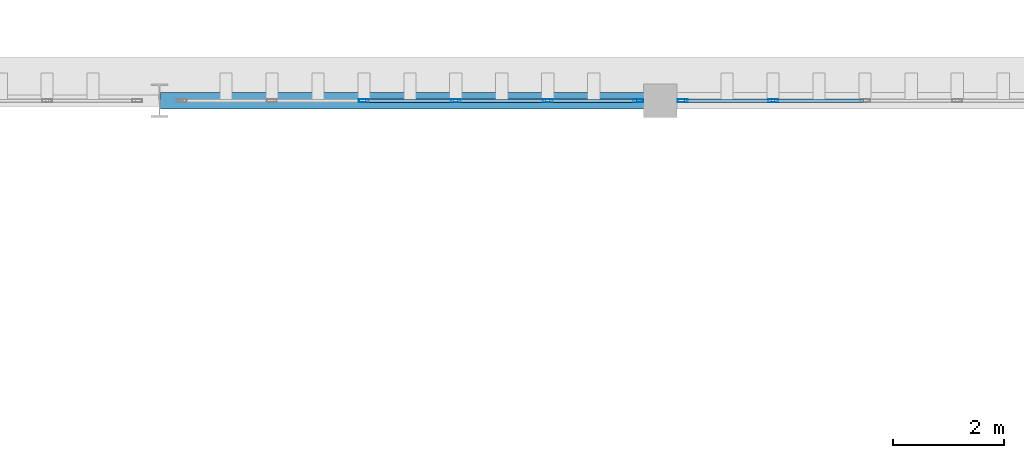
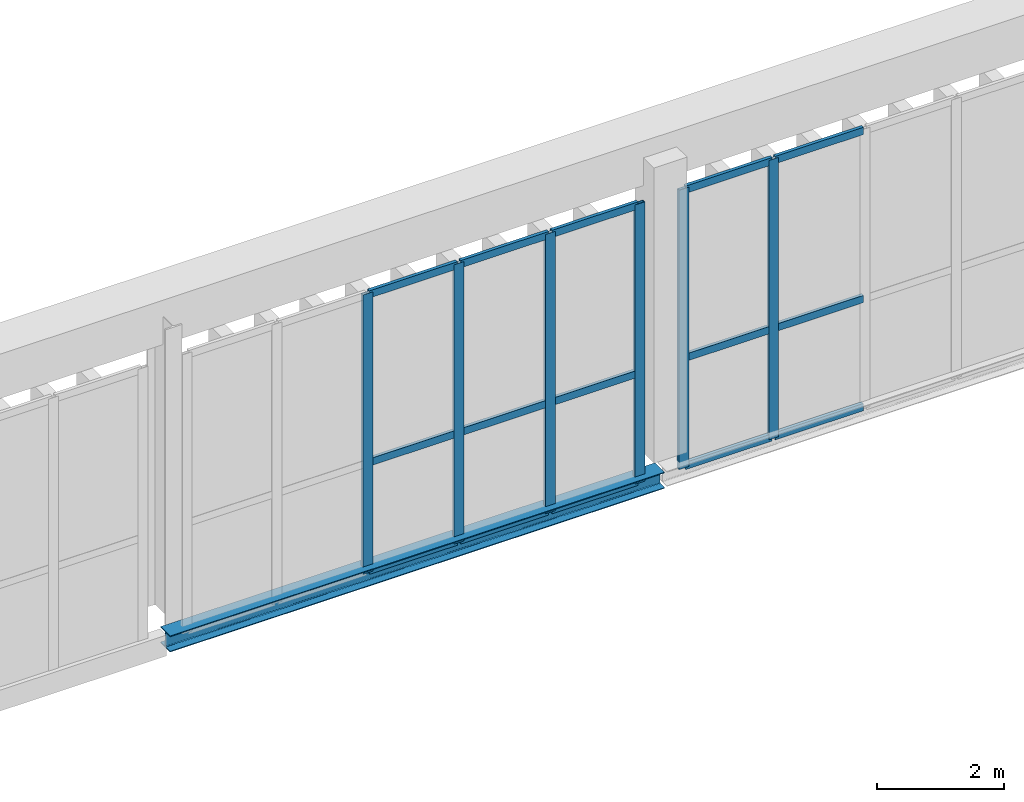
# One storey, part 177 of 237: 21 members, 1 beam, 2 elements without a shape of their own.
"""IFC4 building model written with IfcOpenShell, lengths in metres."""

from ifc_helpers import new_model, si_unit, direction, frame, origin, origin_2d, place, context, subcontext, project, spatial, hollow_rectangle, i_section, extrude, material, layer, layer_set, material_profile, profile_set, type_object, element, aggregate, save


model = new_model("IFC4")

# Units and contexts
model_context = context("Model", 3, precision=1e-05, world=origin(), true_north=direction((0.0, 1.0)))
body_context = subcontext(model_context, "Body", "Model", "MODEL_VIEW")
ifc_project = project(units=[si_unit("LENGTHUNIT", "METRE"), si_unit("AREAUNIT", "SQUARE_METRE"), si_unit("VOLUMEUNIT", "CUBIC_METRE"), si_unit("PLANEANGLEUNIT", "RADIAN"), si_unit("MASSUNIT", "GRAM", prefix="KILO")], contexts=[model_context])

# Site, building, storey
site_placement = place(None, origin())
site = spatial("IfcSite", under=ifc_project, at=site_placement, CompositionType="ELEMENT")
building_placement = place(site_placement, origin())
building = spatial("IfcBuilding", under=site, at=building_placement, Name="Barlavento Convention Centre", CompositionType="ELEMENT")
storey_placement = place(building_placement, frame((0.0, 0.0, 12.0)))
storey = spatial("IfcBuildingStorey", under=building, at=storey_placement, Name="L02", CompositionType="ELEMENT", Elevation=12.0)

# Curtain wall, members
ifc_material_1 = material(Name="Powder-coated aluminium and Low-E glass", Category="aluminium")
ifc_layer = layer(ifc_material_1, 0.18505859375)
ifc_layer_set = layer_set([ifc_layer], Name="ARC-CW-EXH-L02")
curtain_wall_type = type_object("IfcCurtainWallType", Name="ARC-CW-EXH-L02", PredefinedType="NOTDEFINED", material=ifc_layer_set)
curtain_wall_1_placement = place(storey_placement, origin())
curtain_wall_1 = element("IfcCurtainWall", 1, at=curtain_wall_1_placement, inside=storey, type_object=curtain_wall_type, Name="L02 unitised curtain wall CW05", PredefinedType="NOTDEFINED")
ifc_material_2 = material(Name="Powder-coated aluminium", Category="aluminium")
ifc_material_profile_1 = material_profile(ifc_material_2, hollow_rectangle(XDim=0.06005859375, YDim=0.179931640625, WallThickness=0.0048828125, at=origin_2d()), Name="AL-MULL 60x180x5")
ifc_profile_set_1 = profile_set([ifc_material_profile_1], Name="Powder-coated aluminium")
member_type_1 = type_object("IfcMemberType", Name="ARC-CWM-60X180", PredefinedType="MULLION", material=ifc_profile_set_1)
member_1_placement = place(storey_placement, frame((102.674072265625, 135.0, -0.5), z_axis=(0.0, 0.0, 1.0), x_axis=(0.0, 1.0, 0.0)))
member_1 = element("IfcMember", 2, at=member_1_placement, type_object=member_type_1, Name="CW05 mullion 3", PredefinedType="MULLION", context=body_context, shape_type="SweptSolid", body=[
    extrude(hollow_rectangle(XDim=0.06005859375, YDim=0.179931640625, WallThickness=0.0048828125, at=origin_2d()), origin(), (0.0, 0.0, 1.0), 5.35009765625),
])
member_2_placement = place(storey_placement, frame((104.325927734375, 135.0, -0.5), z_axis=(0.0, 0.0, 1.0), x_axis=(0.0, 1.0, 0.0)))
member_2 = element("IfcMember", 3, at=member_2_placement, type_object=member_type_1, Name="CW05 mullion 4", PredefinedType="MULLION", context=body_context, shape_type="SweptSolid", body=[
    extrude(hollow_rectangle(XDim=0.06005859375, YDim=0.179931640625, WallThickness=0.0048828125, at=origin_2d()), origin(), (0.0, 0.0, 1.0), 5.35009765625),
])
member_3_placement = place(storey_placement, frame((105.97802734375, 135.0, -0.5), z_axis=(0.0, 0.0, 1.0), x_axis=(0.0, 1.0, 0.0)))
member_3 = element("IfcMember", 4, at=member_3_placement, type_object=member_type_1, Name="CW05 mullion 5", PredefinedType="MULLION", context=body_context, shape_type="SweptSolid", body=[
    extrude(hollow_rectangle(XDim=0.06005859375, YDim=0.179931640625, WallThickness=0.0048828125, at=origin_2d()), origin(), (0.0, 0.0, 1.0), 5.35009765625),
])
member_4_placement = place(storey_placement, frame((107.60009765625, 135.0, -0.5), z_axis=(0.0, 0.0, 1.0), x_axis=(0.0, 1.0, 0.0)))
member_4 = element("IfcMember", 5, at=member_4_placement, type_object=member_type_1, Name="CW05 mullion 6", PredefinedType="MULLION", context=body_context, shape_type="SweptSolid", body=[
    extrude(hollow_rectangle(XDim=0.06005859375, YDim=0.179931640625, WallThickness=0.0048828125, at=origin_2d()), origin(), (0.0, 0.0, 1.0), 5.35009765625),
])

curtain_wall_2_placement = place(storey_placement, origin())
curtain_wall_2 = element("IfcCurtainWall", 6, at=curtain_wall_2_placement, inside=storey, type_object=curtain_wall_type, Name="L02 unitised curtain wall CW05", PredefinedType="NOTDEFINED")
member_5_placement = place(storey_placement, frame((108.39990234375, 135.0, -0.5), z_axis=(0.0, 0.0, 1.0), x_axis=(0.0, 1.0, 0.0)))
member_5 = element("IfcMember", 7, at=member_5_placement, type_object=member_type_1, Name="CW05 mullion 1", PredefinedType="MULLION", context=body_context, shape_type="SweptSolid", body=[
    extrude(hollow_rectangle(XDim=0.06005859375, YDim=0.179931640625, WallThickness=0.0048828125, at=origin_2d()), origin(), (0.0, 0.0, 1.0), 5.35009765625),
])
member_6_placement = place(storey_placement, frame((110.02490234375, 135.0, -0.5), z_axis=(0.0, 0.0, 1.0), x_axis=(0.0, 1.0, 0.0)))
member_6 = element("IfcMember", 8, at=member_6_placement, type_object=member_type_1, Name="CW05 mullion 2", PredefinedType="MULLION", context=body_context, shape_type="SweptSolid", body=[
    extrude(hollow_rectangle(XDim=0.06005859375, YDim=0.179931640625, WallThickness=0.0048828125, at=origin_2d()), origin(), (0.0, 0.0, 1.0), 5.35009765625),
])

# Member
ifc_material_profile_2 = material_profile(ifc_material_2, hollow_rectangle(XDim=0.06005859375, YDim=0.139892578125, WallThickness=0.00390625, at=origin_2d()), Name="AL-TRAN 60x140x4")
ifc_profile_set_2 = profile_set([ifc_material_profile_2], Name="Powder-coated aluminium")
member_type_2 = type_object("IfcMemberType", Name="ARC-CWT-60X140", PredefinedType="USERDEFINED", material=ifc_profile_set_2)
member_7_placement = place(storey_placement, frame((102.7041015625, 135.0, -0.469970703125), z_axis=(1.0, 0.0, 0.0), x_axis=(0.0, 1.0, 0.0)))
member_7 = element("IfcMember", 9, at=member_7_placement, type_object=member_type_2, Name="CW05 transom 3.1", ObjectType="TRANSOM", PredefinedType="USERDEFINED", context=body_context, shape_type="SweptSolid", body=[
    extrude(hollow_rectangle(XDim=0.06005859375, YDim=0.139892578125, WallThickness=0.00390625, at=origin_2d()), origin(), (0.0, 0.0, 1.0), 1.591796875),
])

member_8_placement = place(storey_placement, frame((102.7041015625, 135.0, 1.60009765625), z_axis=(1.0, 0.0, 0.0), x_axis=(0.0, 1.0, 0.0)))
member_8 = element("IfcMember", 10, at=member_8_placement, type_object=member_type_2, Name="CW05 transom 3.2", ObjectType="TRANSOM", PredefinedType="USERDEFINED", context=body_context, shape_type="SweptSolid", body=[
    extrude(hollow_rectangle(XDim=0.06005859375, YDim=0.139892578125, WallThickness=0.00390625, at=origin_2d()), origin(), (0.0, 0.0, 1.0), 1.591796875),
])

member_9_placement = place(storey_placement, frame((102.7041015625, 135.0, 4.820068359375), z_axis=(1.0, 0.0, 0.0), x_axis=(0.0, 1.0, 0.0)))
member_9 = element("IfcMember", 11, at=member_9_placement, type_object=member_type_2, Name="CW05 transom 3.3", ObjectType="TRANSOM", PredefinedType="USERDEFINED", context=body_context, shape_type="SweptSolid", body=[
    extrude(hollow_rectangle(XDim=0.06005859375, YDim=0.139892578125, WallThickness=0.00390625, at=origin_2d()), origin(), (0.0, 0.0, 1.0), 1.591796875),
])

member_10_placement = place(storey_placement, frame((104.35595703125, 135.0, -0.469970703125), z_axis=(1.0, 0.0, 0.0), x_axis=(0.0, 1.0, 0.0)))
member_10 = element("IfcMember", 12, at=member_10_placement, type_object=member_type_2, Name="CW05 transom 4.1", ObjectType="TRANSOM", PredefinedType="USERDEFINED", context=body_context, shape_type="SweptSolid", body=[
    extrude(hollow_rectangle(XDim=0.06005859375, YDim=0.139892578125, WallThickness=0.00390625, at=origin_2d()), origin(), (0.0, 0.0, 1.0), 1.592041015625),
])

member_11_placement = place(storey_placement, frame((104.35595703125, 135.0, 1.60009765625), z_axis=(1.0, 0.0, 0.0), x_axis=(0.0, 1.0, 0.0)))
member_11 = element("IfcMember", 13, at=member_11_placement, type_object=member_type_2, Name="CW05 transom 4.2", ObjectType="TRANSOM", PredefinedType="USERDEFINED", context=body_context, shape_type="SweptSolid", body=[
    extrude(hollow_rectangle(XDim=0.06005859375, YDim=0.139892578125, WallThickness=0.00390625, at=origin_2d()), origin(), (0.0, 0.0, 1.0), 1.592041015625),
])

member_12_placement = place(storey_placement, frame((104.35595703125, 135.0, 4.820068359375), z_axis=(1.0, 0.0, 0.0), x_axis=(0.0, 1.0, 0.0)))
member_12 = element("IfcMember", 14, at=member_12_placement, type_object=member_type_2, Name="CW05 transom 4.3", ObjectType="TRANSOM", PredefinedType="USERDEFINED", context=body_context, shape_type="SweptSolid", body=[
    extrude(hollow_rectangle(XDim=0.06005859375, YDim=0.139892578125, WallThickness=0.00390625, at=origin_2d()), origin(), (0.0, 0.0, 1.0), 1.592041015625),
])

member_13_placement = place(storey_placement, frame((106.008056640625, 135.0, -0.469970703125), z_axis=(1.0, 0.0, 0.0), x_axis=(0.0, 1.0, 0.0)))
member_13 = element("IfcMember", 15, at=member_13_placement, type_object=member_type_2, Name="CW05 transom 5.1", ObjectType="TRANSOM", PredefinedType="USERDEFINED", context=body_context, shape_type="SweptSolid", body=[
    extrude(hollow_rectangle(XDim=0.06005859375, YDim=0.139892578125, WallThickness=0.00390625, at=origin_2d()), origin(), (0.0, 0.0, 1.0), 1.56201171875),
])

member_14_placement = place(storey_placement, frame((106.008056640625, 135.0, 1.60009765625), z_axis=(1.0, 0.0, 0.0), x_axis=(0.0, 1.0, 0.0)))
member_14 = element("IfcMember", 16, at=member_14_placement, type_object=member_type_2, Name="CW05 transom 5.2", ObjectType="TRANSOM", PredefinedType="USERDEFINED", context=body_context, shape_type="SweptSolid", body=[
    extrude(hollow_rectangle(XDim=0.06005859375, YDim=0.139892578125, WallThickness=0.00390625, at=origin_2d()), origin(), (0.0, 0.0, 1.0), 1.56201171875),
])

member_15_placement = place(storey_placement, frame((106.008056640625, 135.0, 4.820068359375), z_axis=(1.0, 0.0, 0.0), x_axis=(0.0, 1.0, 0.0)))
member_15 = element("IfcMember", 17, at=member_15_placement, type_object=member_type_2, Name="CW05 transom 5.3", ObjectType="TRANSOM", PredefinedType="USERDEFINED", context=body_context, shape_type="SweptSolid", body=[
    extrude(hollow_rectangle(XDim=0.06005859375, YDim=0.139892578125, WallThickness=0.00390625, at=origin_2d()), origin(), (0.0, 0.0, 1.0), 1.56201171875),
])

aggregate(curtain_wall_1, [member_1, member_2, member_3, member_4, member_7, member_8, member_9, member_10, member_11, member_12, member_13, member_14, member_15])

member_16_placement = place(storey_placement, frame((108.429931640625, 135.0, -0.469970703125), z_axis=(1.0, 0.0, 0.0), x_axis=(0.0, 1.0, 0.0)))
member_16 = element("IfcMember", 18, at=member_16_placement, type_object=member_type_2, Name="CW05 transom 1.1", ObjectType="TRANSOM", PredefinedType="USERDEFINED", context=body_context, shape_type="SweptSolid", body=[
    extrude(hollow_rectangle(XDim=0.06005859375, YDim=0.139892578125, WallThickness=0.00390625, at=origin_2d()), origin(), (0.0, 0.0, 1.0), 1.56494140625),
])

member_17_placement = place(storey_placement, frame((108.429931640625, 135.0, 1.60009765625), z_axis=(1.0, 0.0, 0.0), x_axis=(0.0, 1.0, 0.0)))
member_17 = element("IfcMember", 19, at=member_17_placement, type_object=member_type_2, Name="CW05 transom 1.2", ObjectType="TRANSOM", PredefinedType="USERDEFINED", context=body_context, shape_type="SweptSolid", body=[
    extrude(hollow_rectangle(XDim=0.06005859375, YDim=0.139892578125, WallThickness=0.00390625, at=origin_2d()), origin(), (0.0, 0.0, 1.0), 1.56494140625),
])

member_18_placement = place(storey_placement, frame((108.429931640625, 135.0, 4.820068359375), z_axis=(1.0, 0.0, 0.0), x_axis=(0.0, 1.0, 0.0)))
member_18 = element("IfcMember", 20, at=member_18_placement, type_object=member_type_2, Name="CW05 transom 1.3", ObjectType="TRANSOM", PredefinedType="USERDEFINED", context=body_context, shape_type="SweptSolid", body=[
    extrude(hollow_rectangle(XDim=0.06005859375, YDim=0.139892578125, WallThickness=0.00390625, at=origin_2d()), origin(), (0.0, 0.0, 1.0), 1.56494140625),
])

member_19_placement = place(storey_placement, frame((110.0546875, 135.0, -0.469970703125), z_axis=(1.0, 0.0, 0.0), x_axis=(0.0, 1.0, 0.0)))
member_19 = element("IfcMember", 21, at=member_19_placement, type_object=member_type_2, Name="CW05 transom 2.1", ObjectType="TRANSOM", PredefinedType="USERDEFINED", context=body_context, shape_type="SweptSolid", body=[
    extrude(hollow_rectangle(XDim=0.06005859375, YDim=0.139892578125, WallThickness=0.00390625, at=origin_2d()), origin(), (0.0, 0.0, 1.0), 1.594970703125),
])

member_20_placement = place(storey_placement, frame((110.0546875, 135.0, 1.60009765625), z_axis=(1.0, 0.0, 0.0), x_axis=(0.0, 1.0, 0.0)))
member_20 = element("IfcMember", 22, at=member_20_placement, type_object=member_type_2, Name="CW05 transom 2.2", ObjectType="TRANSOM", PredefinedType="USERDEFINED", context=body_context, shape_type="SweptSolid", body=[
    extrude(hollow_rectangle(XDim=0.06005859375, YDim=0.139892578125, WallThickness=0.00390625, at=origin_2d()), origin(), (0.0, 0.0, 1.0), 1.594970703125),
])

member_21_placement = place(storey_placement, frame((110.0546875, 135.0, 4.820068359375), z_axis=(1.0, 0.0, 0.0), x_axis=(0.0, 1.0, 0.0)))
member_21 = element("IfcMember", 23, at=member_21_placement, type_object=member_type_2, Name="CW05 transom 2.3", ObjectType="TRANSOM", PredefinedType="USERDEFINED", context=body_context, shape_type="SweptSolid", body=[
    extrude(hollow_rectangle(XDim=0.06005859375, YDim=0.139892578125, WallThickness=0.00390625, at=origin_2d()), origin(), (0.0, 0.0, 1.0), 1.594970703125),
])

aggregate(curtain_wall_2, [member_5, member_6, member_16, member_17, member_18, member_19, member_20, member_21])

# Beam
ifc_material_3 = material(Name="Steel S355", Category="steel")
ifc_material_profile_3 = material_profile(ifc_material_3, i_section(OverallWidth=0.300048828125, OverallDepth=0.31005859375, WebThickness=0.009033203125, FlangeThickness=0.015380859375, FilletRadius=0.027099609375, at=origin_2d()), Name="HEA 320")
ifc_profile_set_3 = profile_set([ifc_material_profile_3], Name="Steel S355")
beam_type = type_object("IfcBeamType", Name="STR-BM-SPN-HEA320", PredefinedType="SPANDREL", material=ifc_profile_set_3)
beam_placement = place(storey_placement, frame((99.02001953125, 135.0, -0.514892578125), z_axis=(1.0, 0.0, 0.0), x_axis=(0.0, 1.0, 0.0)))
element("IfcBeam", 24, at=beam_placement, inside=storey, type_object=beam_type, Name="L02 primary girder SP01", PredefinedType="SPANDREL", context=body_context, shape_type="SweptSolid", body=[
    extrude(i_section(OverallWidth=0.300048828125, OverallDepth=0.31005859375, WebThickness=0.009033203125, FlangeThickness=0.015380859375, FilletRadius=0.027099609375, at=origin_2d()), origin(), (0.0, 0.0, 1.0), 8.9599609375),
])

save(model, "model.ifc")
